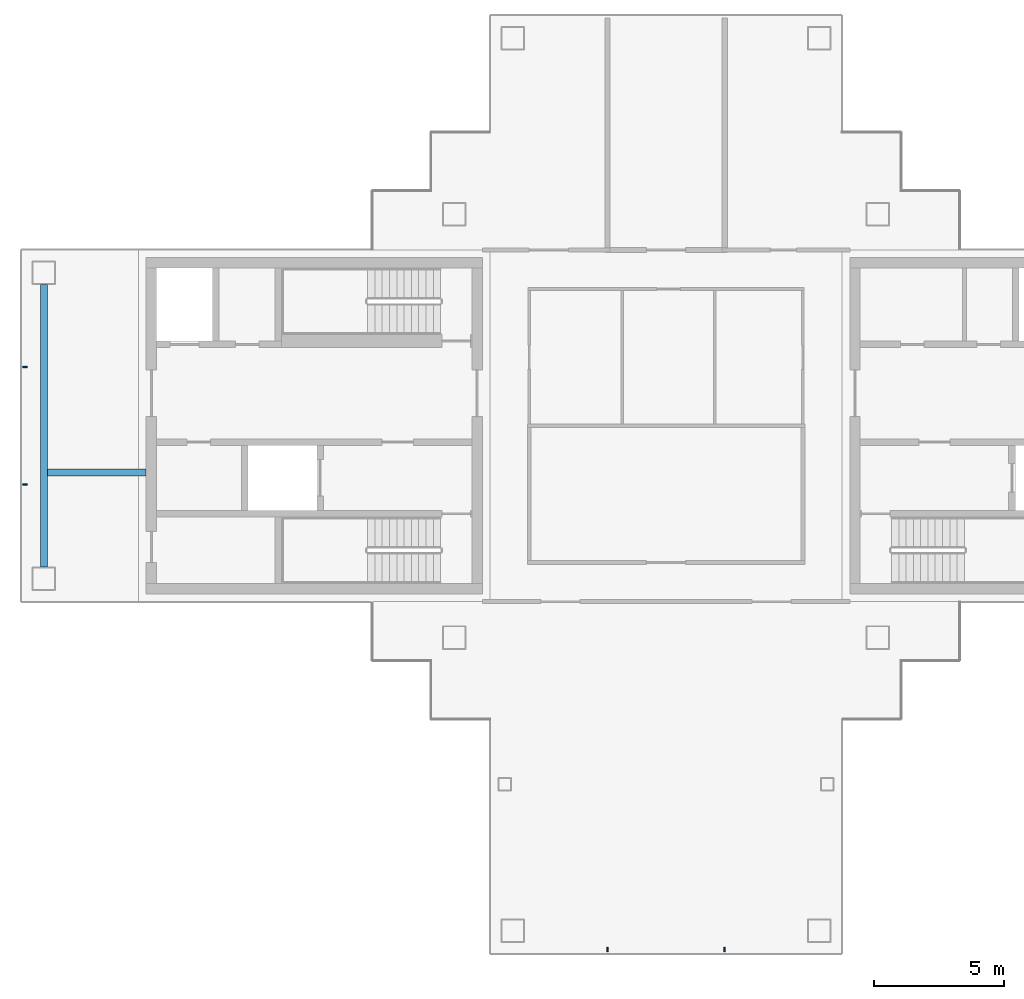
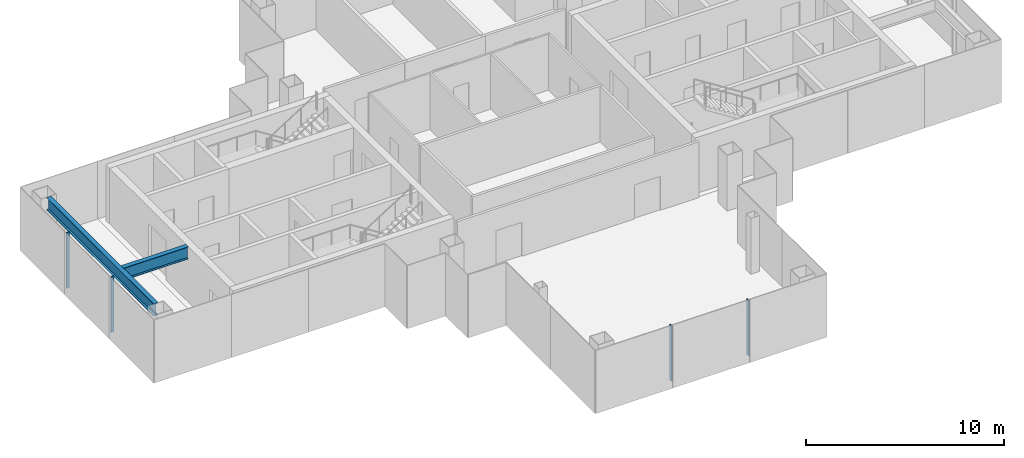
# One storey, part 3 of 15: 4 members, 2 beams, 2 elements without a shape of their own.
"""IFC4 building model written with IfcOpenShell, lengths in metres."""

from ifc_helpers import new_model, si_unit, direction, frame, origin, origin_2d, place, context, subcontext, project, spatial, rectangle, i_section, extrude, material, layer, layer_set, material_profile, profile_set, type_object, element, aggregate, save


model = new_model("IFC4")

# Units and contexts
model_context = context("Model", 3, precision=1e-05, world=origin(), true_north=direction((0.0, 1.0)))
body_context = subcontext(model_context, "Body", "Model", "MODEL_VIEW")
ifc_project = project(units=[si_unit("LENGTHUNIT", "METRE"), si_unit("AREAUNIT", "SQUARE_METRE"), si_unit("VOLUMEUNIT", "CUBIC_METRE"), si_unit("PLANEANGLEUNIT", "RADIAN"), si_unit("MASSUNIT", "GRAM", prefix="KILO")], contexts=[model_context])

# Site, building, storey
site_placement = place(None, origin())
site = spatial("IfcSite", under=ifc_project, at=site_placement, CompositionType="ELEMENT")
building_placement = place(site_placement, origin())
building = spatial("IfcBuilding", under=site, at=building_placement, Name="Shamsa Quay Exchange Towers", CompositionType="ELEMENT")
storey_placement = place(building_placement, frame((0.0, 0.0, 269.39990234375)))
storey = spatial("IfcBuildingStorey", under=building, at=storey_placement, Name="L65", CompositionType="ELEMENT", Elevation=269.39990234375)

# Curtain wall, members
ifc_material_1 = material(Name="Aluminium EN AW-6063 T6, black anodised", Category="aluminium")
ifc_layer = layer(ifc_material_1, 0.280029296875)
ifc_layer_set = layer_set([ifc_layer], Name="CW-1 UNITISED VISION GLASS")
curtain_wall_type = type_object("IfcCurtainWallType", Name="CW-1 UNITISED VISION GLASS", PredefinedType="NOTDEFINED", material=ifc_layer_set)
curtain_wall_1_placement = place(storey_placement, origin())
curtain_wall_1 = element("IfcCurtainWall", 1, at=curtain_wall_1_placement, inside=storey, type_object=curtain_wall_type, Name="CW1 T1-END-V- L65", PredefinedType="NOTDEFINED")
ifc_material_profile_1 = material_profile(ifc_material_1, rectangle(XDim=0.179931640625, YDim=0.06005859375, at=origin_2d()), Name="MU60x180")
ifc_profile_set_1 = profile_set([ifc_material_profile_1], Name="Aluminium EN AW-6063 T6, black anodised")
member_type = type_object("IfcMemberType", Name="CW1 MULLION 60x180", PredefinedType="MULLION", material=ifc_profile_set_1)
member_1_placement = place(storey_placement, frame((-36.0, -20.10009765625, 0.0), z_axis=(0.0, 0.0, 1.0), x_axis=(0.0, 1.0, 0.0)))
member_1 = element("IfcMember", 2, at=member_1_placement, type_object=member_type, Name="CW1 mullion", PredefinedType="MULLION", context=body_context, shape_type="SweptSolid", body=[
    extrude(rectangle(XDim=0.179931640625, YDim=0.06005859375, at=origin_2d()), origin(), (0.0, 0.0, 1.0), 3.4501953125),
])
member_2_placement = place(storey_placement, frame((-31.5, -20.10009765625, 0.0), z_axis=(0.0, 0.0, 1.0), x_axis=(0.0, 1.0, 0.0)))
member_2 = element("IfcMember", 3, at=member_2_placement, type_object=member_type, Name="CW1 mullion", PredefinedType="MULLION", context=body_context, shape_type="SweptSolid", body=[
    extrude(rectangle(XDim=0.179931640625, YDim=0.06005859375, at=origin_2d()), origin(), (0.0, 0.0, 1.0), 3.4501953125),
])
aggregate(curtain_wall_1, [member_1, member_2])

curtain_wall_2_placement = place(storey_placement, origin())
curtain_wall_2 = element("IfcCurtainWall", 4, at=curtain_wall_2_placement, inside=storey, type_object=curtain_wall_type, Name="CW1 T1-END-U- L65", PredefinedType="NOTDEFINED")
member_3_placement = place(storey_placement, frame((-58.35009765625, 2.25, 0.0)))
member_3 = element("IfcMember", 5, at=member_3_placement, type_object=member_type, Name="CW1 mullion", PredefinedType="MULLION", context=body_context, shape_type="SweptSolid", body=[
    extrude(rectangle(XDim=0.179931640625, YDim=0.06005859375, at=origin_2d()), origin(), (0.0, 0.0, 1.0), 3.4501953125),
])
member_4_placement = place(storey_placement, frame((-58.35009765625, -2.25, 0.0)))
member_4 = element("IfcMember", 6, at=member_4_placement, type_object=member_type, Name="CW1 mullion", PredefinedType="MULLION", context=body_context, shape_type="SweptSolid", body=[
    extrude(rectangle(XDim=0.179931640625, YDim=0.06005859375, at=origin_2d()), origin(), (0.0, 0.0, 1.0), 3.4501953125),
])
aggregate(curtain_wall_2, [member_3, member_4])

# Beams
ifc_material_2 = material(Name="Steel S355", Category="steel")
ifc_material_profile_2 = material_profile(ifc_material_2, i_section(OverallWidth=0.26611328125, OverallDepth=0.7578125, WebThickness=0.013916015625, FlangeThickness=0.019287109375, at=origin_2d()), Name="W30x108")
ifc_profile_set_2 = profile_set([ifc_material_profile_2], Name="Steel S355")
beam_type = type_object("IfcBeamType", Name="End-zone beam W30x108", PredefinedType="BEAM", material=ifc_profile_set_2)
beam_1_placement = place(storey_placement, frame((-57.625, -5.425048828125, 3.0712890625), z_axis=(0.0, 1.0, 0.0), x_axis=(-1.0, 0.0, 0.0)))
element("IfcBeam", 7, at=beam_1_placement, inside=storey, type_object=beam_type, Name="End beam T1 U- end zone L65", PredefinedType="BEAM", context=body_context, shape_type="SweptSolid", body=[
    extrude(i_section(OverallWidth=0.26611328125, OverallDepth=0.7578125, WebThickness=0.013916015625, FlangeThickness=0.019287109375, at=origin_2d()), origin(), (0.0, 0.0, 1.0), 10.85009765625),
])
beam_2_placement = place(storey_placement, frame((-53.699951171875, -1.800048828125, 3.0712890625), z_axis=(-1.0, 0.0, 0.0), x_axis=(0.0, -1.0, 0.0)))
element("IfcBeam", 8, at=beam_2_placement, inside=storey, type_object=beam_type, Name="Spine beam T1 U- end zone L65", PredefinedType="BEAM", context=body_context, shape_type="SweptSolid", body=[
    extrude(i_section(OverallWidth=0.26611328125, OverallDepth=0.7578125, WebThickness=0.013916015625, FlangeThickness=0.019287109375, at=origin_2d()), origin(), (0.0, 0.0, 1.0), 3.7919921875),
])

save(model, "model.ifc")
